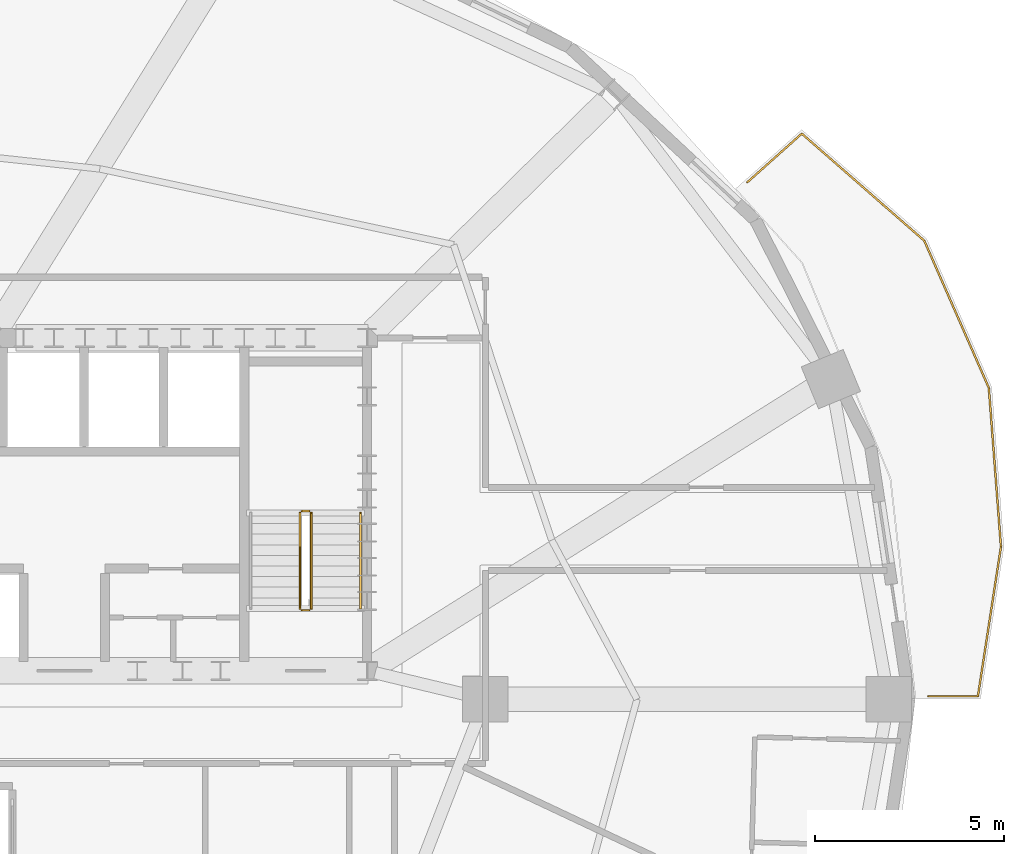
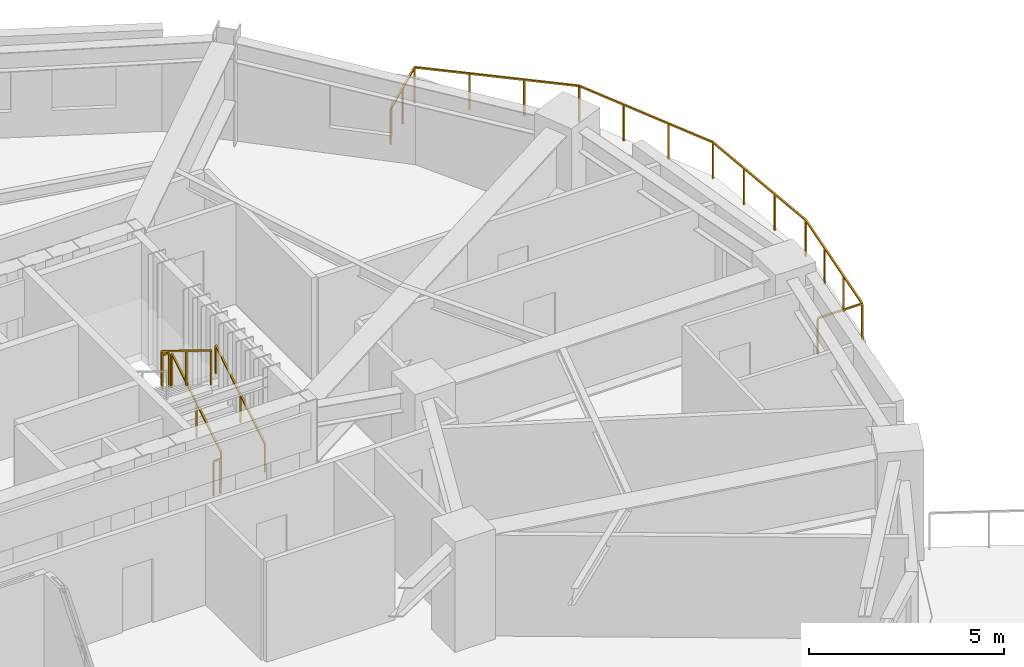
# One storey, part 13 of 13: 6 railings.
"""IFC4 building model written with IfcOpenShell, lengths in metres."""

from ifc_helpers import new_model, si_unit, direction, frame, origin, origin_2d, place, context, subcontext, project, spatial, rectangle, extrude, material, type_object, element, save


model = new_model("IFC4")

# Units and contexts
model_context = context("Model", 3, precision=1e-05, world=origin(), true_north=direction((0.0, 1.0)))
body_context = subcontext(model_context, "Body", "Model", "MODEL_VIEW")
ifc_project = project(units=[si_unit("LENGTHUNIT", "METRE"), si_unit("AREAUNIT", "SQUARE_METRE"), si_unit("VOLUMEUNIT", "CUBIC_METRE"), si_unit("PLANEANGLEUNIT", "RADIAN"), si_unit("MASSUNIT", "GRAM", prefix="KILO")], contexts=[model_context])

# Site, building, storey
site_placement = place(None, origin())
site = spatial("IfcSite", under=ifc_project, at=site_placement, CompositionType="ELEMENT")
building_placement = place(site_placement, origin())
building = spatial("IfcBuilding", under=site, at=building_placement, Name="Haldorwick Loom Tower", CompositionType="ELEMENT")
storey_placement = place(building_placement, frame((0.0, 0.0, 127.699951171875)))
storey = spatial("IfcBuildingStorey", under=building, at=storey_placement, Name="L34", CompositionType="ELEMENT", Elevation=127.699951171875)

# Railings
ifc_material_1 = material(Name="Galvanized Steel CSA G40.21 350W", Category="steel")
railing_type_1 = type_object("IfcRailingType", Name="ARC-RLG-BAL115", PredefinedType="BALUSTRADE", material=ifc_material_1)
railing_1_placement = place(storey_placement, frame((60.1171875, 39.655029296875, 0.0)))
element("IfcRailing", 1, at=railing_1_placement, inside=storey, type_object=railing_type_1, Name="L34 Outdoor Terrace Guardrail SLB-L34-BAL_ENE-1", PredefinedType="BALUSTRADE", context=body_context, shape_type="SweptSolid", body=[
    extrude(rectangle(XDim=0.048095703125, YDim=0.048095703125, at=origin_2d()), frame((0.0, 0.0, 1.1259765625), z_axis=(0.74583472126, 0.666131044588, 0.0), x_axis=(-0.666131044588, 0.74583472126, 0.0)), (0.0, 0.0, 1.0), 1.935791015625),
    extrude(rectangle(XDim=0.048095703125, YDim=0.048095703125, at=origin_2d()), frame((1.44384765625, 1.28955078125, 1.1259765625), z_axis=(0.75295646982, -0.658070326451, 0.0), x_axis=(0.658070326451, 0.75295646982, 0.0)), (0.0, 0.0, 1.0), 4.299560546875),
    extrude(rectangle(XDim=0.048095703125, YDim=0.048095703125, at=origin_2d()), frame((4.68115234375, -1.539794921875, 1.1259765625), z_axis=(0.401663187, -0.915787466724, 0.0), x_axis=(0.915787466724, 0.401663187, 0.0)), (0.0, 0.0, 1.0), 4.246337890625),
    extrude(rectangle(XDim=0.048095703125, YDim=0.048095703125, at=origin_2d()), frame((6.38671875, -5.428466796875, 1.1259765625), z_axis=(0.076093306203, -0.997100701409, 0.0), x_axis=(0.997100701409, 0.076093306203, 0.0)), (0.0, 0.0, 1.0), 4.20947265625),
    extrude(rectangle(XDim=0.048095703125, YDim=0.048095703125, at=origin_2d()), frame((6.70703125, -9.625732421875, 1.1259765625), z_axis=(-0.152318878826, -0.988331401481, 0.0), x_axis=(0.988331401481, -0.152318878826, 0.0)), (0.0, 0.0, 1.0), 3.995849609375),
    extrude(rectangle(XDim=0.048095703125, YDim=0.048095703125, at=origin_2d()), frame((6.098388671875, -13.574951171875, 1.1259765625), z_axis=(-1.0, 0.0, 0.0), x_axis=(0.0, -1.0, 0.0)), (0.0, 0.0, 1.0), 1.314697265625),
    extrude(rectangle(XDim=0.0419921875, YDim=0.0419921875, at=origin_2d()), origin(), (0.0, 0.0, 1.0), 1.101806640625),
    extrude(rectangle(XDim=0.0419921875, YDim=0.0419921875, at=origin_2d()), frame((0.721923828125, 0.644775390625, 0.0)), (0.0, 0.0, 1.0), 1.101806640625),
    extrude(rectangle(XDim=0.0419921875, YDim=0.0419921875, at=origin_2d()), frame((1.44384765625, 1.28955078125, 0.0)), (0.0, 0.0, 1.0), 1.101806640625),
    extrude(rectangle(XDim=0.0419921875, YDim=0.0419921875, at=origin_2d()), frame((2.52294921875, 0.346435546875, 0.0)), (0.0, 0.0, 1.0), 1.101806640625),
    extrude(rectangle(XDim=0.0419921875, YDim=0.0419921875, at=origin_2d()), frame((3.60205078125, -0.5966796875, 0.0)), (0.0, 0.0, 1.0), 1.101806640625),
    extrude(rectangle(XDim=0.0419921875, YDim=0.0419921875, at=origin_2d()), frame((4.68115234375, -1.539794921875, 0.0)), (0.0, 0.0, 1.0), 1.101806640625),
    extrude(rectangle(XDim=0.0419921875, YDim=0.0419921875, at=origin_2d()), frame((5.249755859375, -2.8359375, 0.0)), (0.0, 0.0, 1.0), 1.101806640625),
    extrude(rectangle(XDim=0.0419921875, YDim=0.0419921875, at=origin_2d()), frame((5.818115234375, -4.13232421875, 0.0)), (0.0, 0.0, 1.0), 1.101806640625),
    extrude(rectangle(XDim=0.0419921875, YDim=0.0419921875, at=origin_2d()), frame((6.38671875, -5.428466796875, 0.0)), (0.0, 0.0, 1.0), 1.101806640625),
    extrude(rectangle(XDim=0.0419921875, YDim=0.0419921875, at=origin_2d()), frame((6.493408203125, -6.82763671875, 0.0)), (0.0, 0.0, 1.0), 1.101806640625),
    extrude(rectangle(XDim=0.0419921875, YDim=0.0419921875, at=origin_2d()), frame((6.600341796875, -8.2265625, 0.0)), (0.0, 0.0, 1.0), 1.101806640625),
    extrude(rectangle(XDim=0.0419921875, YDim=0.0419921875, at=origin_2d()), frame((6.70703125, -9.625732421875, 0.0)), (0.0, 0.0, 1.0), 1.101806640625),
    extrude(rectangle(XDim=0.0419921875, YDim=0.0419921875, at=origin_2d()), frame((6.504150390625, -10.942138671875, 0.0)), (0.0, 0.0, 1.0), 1.101806640625),
    extrude(rectangle(XDim=0.0419921875, YDim=0.0419921875, at=origin_2d()), frame((6.30126953125, -12.258544921875, 0.0)), (0.0, 0.0, 1.0), 1.101806640625),
    extrude(rectangle(XDim=0.0419921875, YDim=0.0419921875, at=origin_2d()), frame((6.098388671875, -13.574951171875, 0.0)), (0.0, 0.0, 1.0), 1.101806640625),
    extrude(rectangle(XDim=0.0419921875, YDim=0.0419921875, at=origin_2d()), frame((4.78369140625, -13.574951171875, 0.0)), (0.0, 0.0, 1.0), 1.101806640625),
])
ifc_material_2 = material(Name="Steel CSA G40.21 350W", Category="steel")
railing_type_2 = type_object("IfcRailingType", Name="ARC-RLG-GUARD112", PredefinedType="GUARDRAIL", material=ifc_material_2)
railing_2_placement = place(storey_placement, frame((48.60009765625, 28.39990234375, 0.172607421875)))
element("IfcRailing", 2, at=railing_2_placement, inside=storey, type_object=railing_type_2, Name="L34 ST-02 stair guard 1", PredefinedType="GUARDRAIL", context=body_context, shape_type="SweptSolid", body=[
    extrude(rectangle(XDim=0.048095703125, YDim=0.048095703125, at=origin_2d()), frame((0.0, 0.0, 1.076171875), z_axis=(0.0, 0.851400495292, 0.524516154772), x_axis=(-1.0, 0.0, 0.0)), (0.0, 0.0, 1.0), 2.9599609375),
    extrude(rectangle(XDim=0.0419921875, YDim=0.0419921875, at=origin_2d()), origin(), (0.0, 0.0, 1.0), 1.052001953125),
    extrude(rectangle(XDim=0.0419921875, YDim=0.0419921875, at=origin_2d()), frame((0.0, 1.260009765625, 0.7763671875)), (0.0, 0.0, 1.0), 1.052001953125),
    extrude(rectangle(XDim=0.0419921875, YDim=0.0419921875, at=origin_2d()), frame((0.0, 2.52001953125, 1.552490234375)), (0.0, 0.0, 1.0), 1.052001953125),
])
railing_3_placement = place(storey_placement, frame((48.550048828125, 30.969970703125, 1.72509765625)))
element("IfcRailing", 3, at=railing_3_placement, inside=storey, type_object=railing_type_2, Name="L34 ST-02 stair guard 2", PredefinedType="GUARDRAIL", context=body_context, shape_type="SweptSolid", body=[
    extrude(rectangle(XDim=0.048095703125, YDim=0.048095703125, at=origin_2d()), frame((0.0, 0.0, 1.076171875), z_axis=(-1.0, 0.0, 0.0), x_axis=(0.0, -1.0, 0.0)), (0.0, 0.0, 1.0), 0.199951171875),
    extrude(rectangle(XDim=0.0419921875, YDim=0.0419921875, at=origin_2d()), origin(), (0.0, 0.0, 1.0), 1.052001953125),
    extrude(rectangle(XDim=0.0419921875, YDim=0.0419921875, at=origin_2d()), frame((-0.199951171875, 0.0, 0.0)), (0.0, 0.0, 1.0), 1.052001953125),
])
railing_4_placement = place(storey_placement, frame((48.300048828125, 30.919921875, 1.8974609375)))
element("IfcRailing", 4, at=railing_4_placement, inside=storey, type_object=railing_type_2, Name="L34 ST-02 stair guard 3", PredefinedType="GUARDRAIL", context=body_context, shape_type="SweptSolid", body=[
    extrude(rectangle(XDim=0.048095703125, YDim=0.048095703125, at=origin_2d()), frame((0.0, 0.0, 1.076171875), z_axis=(0.0, -0.851400495292, 0.524516154772), x_axis=(1.0, 0.0, 0.0)), (0.0, 0.0, 1.0), 2.9599609375),
    extrude(rectangle(XDim=0.0419921875, YDim=0.0419921875, at=origin_2d()), origin(), (0.0, 0.0, 1.0), 1.052001953125),
    extrude(rectangle(XDim=0.0419921875, YDim=0.0419921875, at=origin_2d()), frame((0.0, -1.260009765625, 0.7763671875)), (0.0, 0.0, 1.0), 1.052001953125),
    extrude(rectangle(XDim=0.0419921875, YDim=0.0419921875, at=origin_2d()), frame((0.0, -2.52001953125, 1.552490234375)), (0.0, 0.0, 1.0), 1.052001953125),
])
railing_5_placement = place(storey_placement, frame((48.550048828125, 28.35009765625, 0.0)))
element("IfcRailing", 5, at=railing_5_placement, inside=storey, type_object=railing_type_2, Name="L34 ST-02 stair guard 4", PredefinedType="GUARDRAIL", context=body_context, shape_type="SweptSolid", body=[
    extrude(rectangle(XDim=0.048095703125, YDim=0.048095703125, at=origin_2d()), frame((0.0, 0.0, 1.076171875), z_axis=(-1.0, 0.0, 0.0), x_axis=(0.0, -1.0, 0.0)), (0.0, 0.0, 1.0), 0.199951171875),
    extrude(rectangle(XDim=0.0419921875, YDim=0.0419921875, at=origin_2d()), origin(), (0.0, 0.0, 1.0), 1.052001953125),
    extrude(rectangle(XDim=0.0419921875, YDim=0.0419921875, at=origin_2d()), frame((-0.199951171875, 0.0, 0.0)), (0.0, 0.0, 1.0), 1.052001953125),
])
railing_type_3 = type_object("IfcRailingType", Name="ARC-RLG-HAND092", PredefinedType="HANDRAIL", material=ifc_material_2)
railing_6_placement = place(storey_placement, frame((49.89990234375, 28.39990234375, 0.172607421875)))
element("IfcRailing", 6, at=railing_6_placement, inside=storey, type_object=railing_type_3, Name="L34 ST-02 stair handrail 1", PredefinedType="HANDRAIL", context=body_context, shape_type="SweptSolid", body=[
    extrude(rectangle(XDim=0.048095703125, YDim=0.048095703125, at=origin_2d()), frame((0.0, 0.0, 0.8759765625), z_axis=(0.0, 0.851400495292, 0.524516154772), x_axis=(-1.0, 0.0, 0.0)), (0.0, 0.0, 1.0), 2.9599609375),
    extrude(rectangle(XDim=0.0419921875, YDim=0.0419921875, at=origin_2d()), origin(), (0.0, 0.0, 1.0), 0.851806640625),
    extrude(rectangle(XDim=0.0419921875, YDim=0.0419921875, at=origin_2d()), frame((0.0, 1.260009765625, 0.7763671875)), (0.0, 0.0, 1.0), 0.851806640625),
    extrude(rectangle(XDim=0.0419921875, YDim=0.0419921875, at=origin_2d()), frame((0.0, 2.52001953125, 1.552490234375)), (0.0, 0.0, 1.0), 0.851806640625),
])

save(model, "model.ifc")
